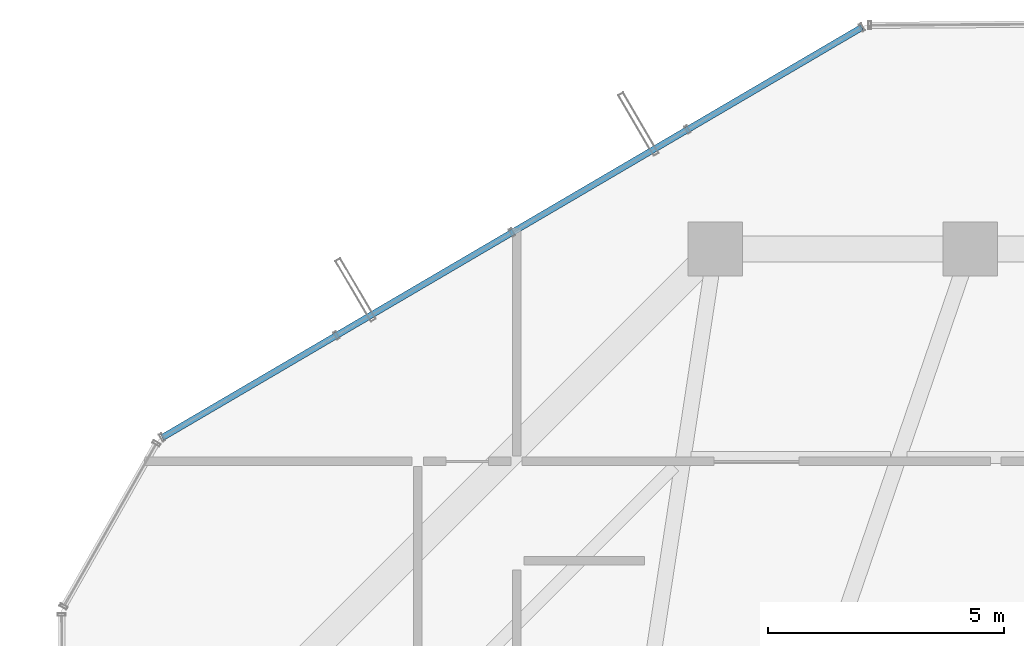
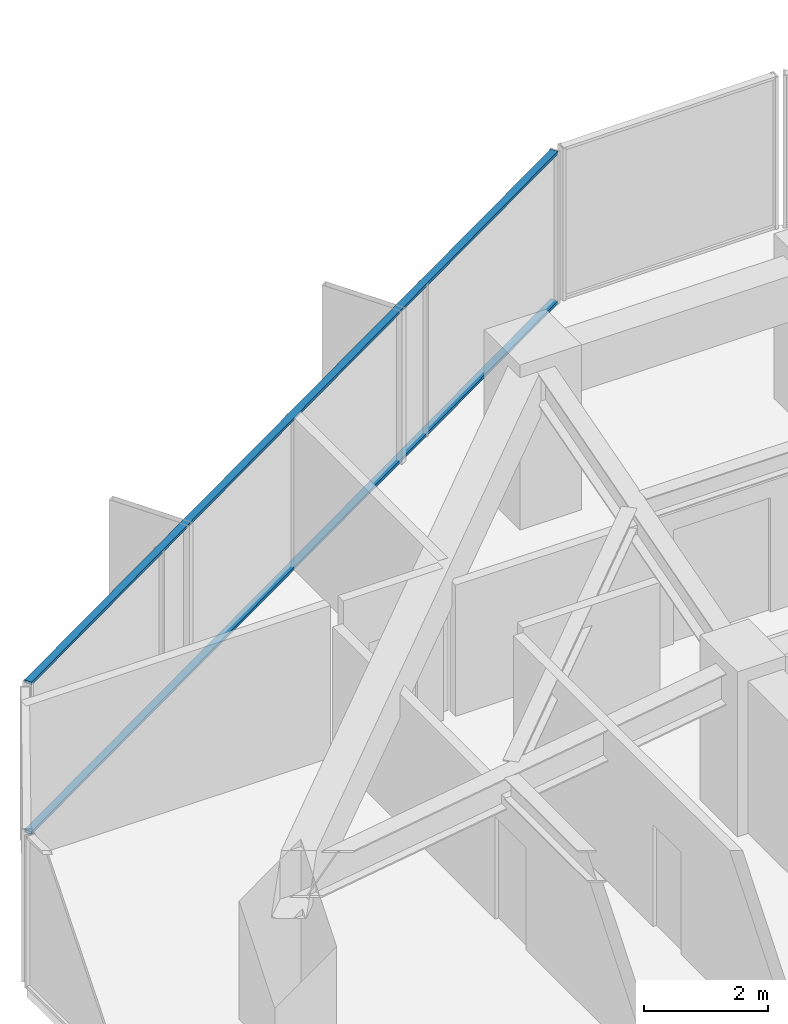
# One storey, part 18 of 30: 2 members, 1 element without a shape of its own.
"""IFC4 building model written with IfcOpenShell, lengths in metres."""

from ifc_helpers import new_model, si_unit, direction, frame, origin, origin_2d, place, context, subcontext, project, spatial, hollow_rectangle, extrude, source, transform, mapped, material, layer, layer_set, material_profile, profile_set, type_object, element, aggregate, save


model = new_model("IFC4")

# Units and contexts
model_context = context("Model", 3, precision=1e-05, world=origin(), true_north=direction((0.0, 1.0)))
body_context = subcontext(model_context, "Body", "Model", "MODEL_VIEW")
ifc_project = project(units=[si_unit("LENGTHUNIT", "METRE"), si_unit("AREAUNIT", "SQUARE_METRE"), si_unit("VOLUMEUNIT", "CUBIC_METRE"), si_unit("PLANEANGLEUNIT", "RADIAN"), si_unit("MASSUNIT", "GRAM", prefix="KILO")], contexts=[model_context])

# Site, building, storey
site_placement = place(None, origin())
site = spatial("IfcSite", under=ifc_project, at=site_placement, CompositionType="ELEMENT")
building_placement = place(site_placement, origin())
building = spatial("IfcBuilding", under=site, at=building_placement, Name="Veraguas Prism Commons", CompositionType="ELEMENT")
storey_placement = place(building_placement, frame((0.0, 0.0, 129.5)))
storey = spatial("IfcBuildingStorey", under=building, at=storey_placement, Name="L36", CompositionType="ELEMENT", Elevation=129.5)

# Curtain wall, members
ifc_material = material(Name="Anodised aluminium EN AW-6063 T6", Category="aluminium")
ifc_layer = layer(ifc_material, 0.169921875, Name="Unitised Flush Curtain Wall Zone 2", Category="aluminium")
ifc_layer_set = layer_set([ifc_layer], Name="Anodised aluminium EN AW-6063 T6")
curtain_wall_type = type_object("IfcCurtainWallType", Name="Unitised Flush Curtain Wall Zone 2", PredefinedType="NOTDEFINED", material=ifc_layer_set)
curtain_wall_placement = place(storey_placement, origin())
curtain_wall = element("IfcCurtainWall", 1, at=curtain_wall_placement, inside=storey, type_object=curtain_wall_type, Name="Tower Facade Curtain Wall L36-F2", PredefinedType="NOTDEFINED")
ifc_material_profile = material_profile(ifc_material, hollow_rectangle(XDim=0.054931640625, YDim=0.135009765625, WallThickness=0.0029296875, at=origin_2d()), Name="AL55X135X3")
ifc_profile_set = profile_set([ifc_material_profile], Name="Anodised aluminium EN AW-6063 T6")
member_type = type_object("IfcMemberType", Name="Curtain Wall Transom Standard AL 55x135x3", PredefinedType="USERDEFINED", material=ifc_profile_set)
shared_shape = source(origin(), body_context, "Body", "SweptSolid", [
    extrude(hollow_rectangle(XDim=0.054931640625, YDim=0.135009765625, WallThickness=0.0029296875, at=origin_2d()), origin(), (0.0, 0.0, 1.0), 17.17431640625),
])
member_1_placement = place(storey_placement, frame((21.706787109375, 44.891357421875, 0.027587890625), z_axis=(-0.862682785525, -0.505745401915, 0.0), x_axis=(0.0, 0.0, 1.0)))
member_1 = element("IfcMember", 2, at=member_1_placement, type_object=member_type, Name="CW-Z2 Transom 1", ObjectType="TRANSOM", PredefinedType="USERDEFINED", context=body_context, shape_type="MappedRepresentation", body=[
    mapped(shared_shape, transform((0.0, 0.0, 0.0), scale=1.0)),
])
member_2_placement = place(storey_placement, frame((21.706787109375, 44.891357421875, 2.972412109375), z_axis=(-0.862682785525, -0.505745401915, 0.0), x_axis=(0.0, 0.0, 1.0)))
member_2 = element("IfcMember", 3, at=member_2_placement, type_object=member_type, Name="CW-Z2 Transom 2", ObjectType="TRANSOM", PredefinedType="USERDEFINED", context=body_context, shape_type="MappedRepresentation", body=[
    mapped(shared_shape, transform((0.0, 0.0, 0.0), scale=1.0)),
])
aggregate(curtain_wall, [member_1, member_2])

save(model, "model.ifc")
